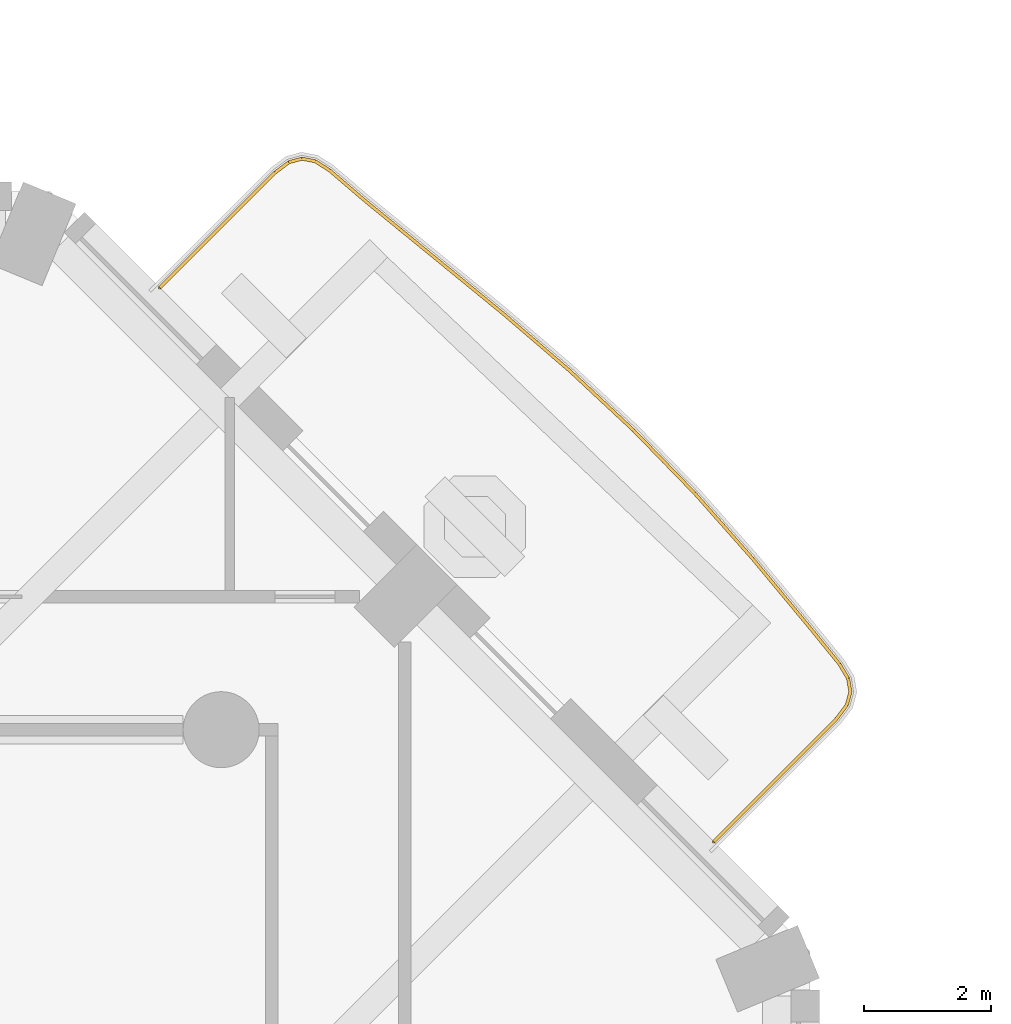
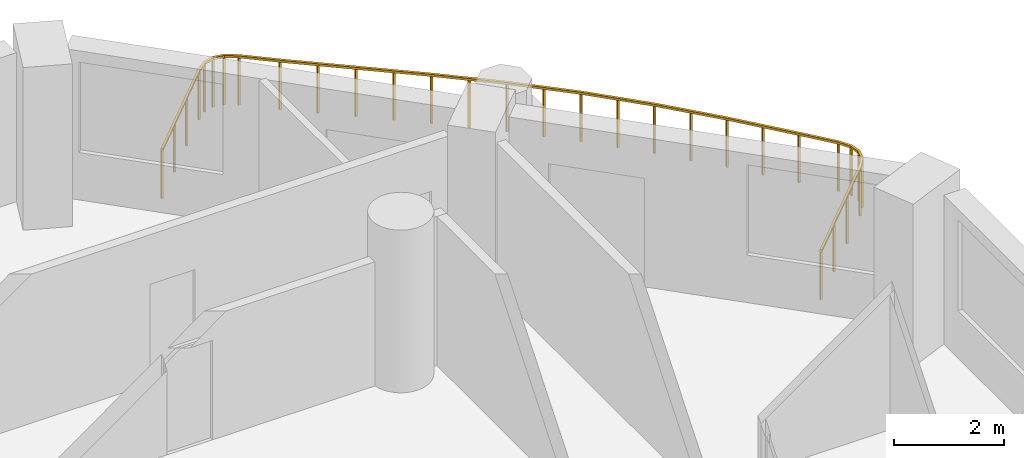
# One storey, part 18 of 19: 1 railing.
"""IFC4 building model written with IfcOpenShell, lengths in metres."""

from ifc_helpers import new_model, si_unit, direction, frame, origin, origin_2d, place, context, subcontext, project, spatial, rectangle, extrude, material, type_object, element, save


model = new_model("IFC4")

# Units and contexts
model_context = context("Model", 3, precision=1e-05, world=origin(), true_north=direction((0.0, 1.0)))
body_context = subcontext(model_context, "Body", "Model", "MODEL_VIEW")
ifc_project = project(units=[si_unit("LENGTHUNIT", "METRE"), si_unit("AREAUNIT", "SQUARE_METRE"), si_unit("VOLUMEUNIT", "CUBIC_METRE"), si_unit("PLANEANGLEUNIT", "RADIAN"), si_unit("MASSUNIT", "GRAM", prefix="KILO")], contexts=[model_context])

# Site, building, storey
site_placement = place(None, origin())
site = spatial("IfcSite", under=ifc_project, at=site_placement, CompositionType="ELEMENT")
building_placement = place(site_placement, origin())
building = spatial("IfcBuilding", under=site, at=building_placement, Name="Cypress Arch Tower", CompositionType="ELEMENT")
storey_placement = place(building_placement, frame((0.0, 0.0, 69.89990234375)))
storey = spatial("IfcBuildingStorey", under=building, at=storey_placement, Name="L11", CompositionType="ELEMENT", Elevation=69.89990234375)

# Railing
ifc_material = material(Name="Powder-coated steel posts and rods, 100 mm clear between rods", Category="steel")
railing_type = type_object("IfcRailingType", Name="Balcony guard GR1100", PredefinedType="GUARDRAIL", material=ifc_material)
railing_placement = place(storey_placement, frame((14.33251953125, 24.479736328125, 0.0)))
element("IfcRailing", 1, at=railing_placement, inside=storey, type_object=railing_type, Name="Balcony guard L11-A07", PredefinedType="GUARDRAIL", context=body_context, shape_type="SweptSolid", body=[
    extrude(rectangle(XDim=0.050048828125, YDim=0.050048828125, at=origin_2d()), frame((0.0, 0.0, 1.0751953125), z_axis=(0.707106781187, 0.707106781187, 0.0), x_axis=(-0.707106781187, 0.707106781187, 0.0)), (0.0, 0.0, 1.0), 2.5771484375),
    extrude(rectangle(XDim=0.050048828125, YDim=0.050048828125, at=origin_2d()), frame((1.822265625, 1.822265625, 1.0751953125), z_axis=(0.798787809241, 0.601612862069, 0.0), x_axis=(-0.601612862069, 0.798787809241, 0.0)), (0.0, 0.0, 1.0), 0.26611328125),
    extrude(rectangle(XDim=0.050048828125, YDim=0.050048828125, at=origin_2d()), frame((2.034912109375, 1.982421875, 1.0751953125), z_axis=(0.964553524108, 0.263887284898, 0.0), x_axis=(-0.263887284898, 0.964553524108, 0.0)), (0.0, 0.0, 1.0), 0.214599609375),
    extrude(rectangle(XDim=0.050048828125, YDim=0.050048828125, at=origin_2d()), frame((2.241943359375, 2.0390625, 1.0751953125), z_axis=(0.982418188489, -0.186693607083, 0.0), x_axis=(0.186693607083, 0.982418188489, 0.0)), (0.0, 0.0, 1.0), 0.21435546875),
    extrude(rectangle(XDim=0.050048828125, YDim=0.050048828125, at=origin_2d()), frame((2.45263671875, 1.9990234375, 1.0751953125), z_axis=(0.843699206123, -0.536816215839, 0.0), x_axis=(0.536816215839, 0.843699206123, 0.0)), (0.0, 0.0, 1.0), 0.2666015625),
    extrude(rectangle(XDim=0.050048828125, YDim=0.050048828125, at=origin_2d()), frame((2.677490234375, 1.85595703125, 1.0751953125), z_axis=(0.76038687079, -0.649470404815, 0.0), x_axis=(0.649470404815, 0.76038687079, 0.0)), (0.0, 0.0, 1.0), 0.761474609375),
    extrude(rectangle(XDim=0.050048828125, YDim=0.050048828125, at=origin_2d()), frame((3.256591796875, 1.361328125, 1.0751953125), z_axis=(0.774589362054, -0.632464481369, 0.0), x_axis=(0.632464481369, 0.774589362054, 0.0)), (0.0, 0.0, 1.0), 1.39306640625),
    extrude(rectangle(XDim=0.050048828125, YDim=0.050048828125, at=origin_2d()), frame((4.335693359375, 0.480224609375, 1.0751953125), z_axis=(0.774168244327, -0.632979880783, 0.0), x_axis=(0.632979880783, 0.774168244327, 0.0)), (0.0, 0.0, 1.0), 1.39208984375),
    extrude(rectangle(XDim=0.050048828125, YDim=0.050048828125, at=origin_2d()), frame((5.413330078125, -0.40087890625, 1.0751953125), z_axis=(0.75888395865, -0.651225872722, 0.0), x_axis=(0.651225872722, 0.75888395865, 0.0)), (0.0, 0.0, 1.0), 1.387939453125),
    extrude(rectangle(XDim=0.050048828125, YDim=0.050048828125, at=origin_2d()), frame((6.466552734375, -1.3046875, 1.0751953125), z_axis=(0.731366022119, -0.681985147705, 0.0), x_axis=(0.681985147705, 0.731366022119, 0.0)), (0.0, 0.0, 1.0), 1.38427734375),
    extrude(rectangle(XDim=0.050048828125, YDim=0.050048828125, at=origin_2d()), frame((7.47900390625, -2.248779296875, 1.0751953125), z_axis=(0.696796061796, -0.717269299681, 0.0), x_axis=(0.717269299681, 0.696796061796, 0.0)), (0.0, 0.0, 1.0), 1.38330078125),
    extrude(rectangle(XDim=0.050048828125, YDim=0.050048828125, at=origin_2d()), frame((8.44287109375, -3.240966796875, 1.0751953125), z_axis=(0.663105740178, -0.748525735925, 0.0), x_axis=(0.748525735925, 0.663105740178, 0.0)), (0.0, 0.0, 1.0), 1.38623046875),
    extrude(rectangle(XDim=0.050048828125, YDim=0.050048828125, at=origin_2d()), frame((9.362060546875, -4.278564453125, 1.0751953125), z_axis=(0.638767142715, -0.769400115277, 0.0), x_axis=(0.769400115277, 0.638767142715, 0.0)), (0.0, 0.0, 1.0), 1.390380859375),
    extrude(rectangle(XDim=0.050048828125, YDim=0.050048828125, at=origin_2d()), frame((10.250244140625, -5.348388671875, 1.0751953125), z_axis=(0.630496180097, -0.776192351729, 0.0), x_axis=(0.776192351729, 0.630496180097, 0.0)), (0.0, 0.0, 1.0), 0.762451171875),
    extrude(rectangle(XDim=0.050048828125, YDim=0.050048828125, at=origin_2d()), frame((10.73095703125, -5.940185546875, 1.0751953125), z_axis=(0.516101143254, -0.856527646916, 0.0), x_axis=(0.856527646916, 0.516101143254, 0.0)), (0.0, 0.0, 1.0), 0.268310546875),
    extrude(rectangle(XDim=0.050048828125, YDim=0.050048828125, at=origin_2d()), frame((10.869384765625, -6.169921875, 1.0751953125), z_axis=(0.170394914413, -0.985375853744, 0.0), x_axis=(0.985375853744, 0.170394914413, 0.0)), (0.0, 0.0, 1.0), 0.2177734375),
    extrude(rectangle(XDim=0.050048828125, YDim=0.050048828125, at=origin_2d()), frame((10.906494140625, -6.384521484375, 1.0751953125), z_axis=(-0.269837570952, -0.962905854849, 0.0), x_axis=(0.962905854849, -0.269837570952, 0.0)), (0.0, 0.0, 1.0), 0.218017578125),
    extrude(rectangle(XDim=0.050048828125, YDim=0.050048828125, at=origin_2d()), frame((10.84765625, -6.594482421875, 1.0751953125), z_axis=(-0.602910389094, -0.797808913665, 0.0), x_axis=(0.797808913665, -0.602910389094, 0.0)), (0.0, 0.0, 1.0), 0.26806640625),
    extrude(rectangle(XDim=0.050048828125, YDim=0.050048828125, at=origin_2d()), frame((10.68603515625, -6.808349609375, 1.0751953125), z_axis=(-0.707062260061, -0.707151299509, 0.0), x_axis=(0.707151299509, -0.707062260061, 0.0)), (0.0, 0.0, 1.0), 2.741943359375),
    extrude(rectangle(XDim=0.0400390625, YDim=0.0400390625, at=origin_2d()), origin(), (0.0, 0.0, 1.0), 1.050048828125),
    extrude(rectangle(XDim=0.0400390625, YDim=0.0400390625, at=origin_2d()), frame((0.607421875, 0.607421875, 0.0)), (0.0, 0.0, 1.0), 1.050048828125),
    extrude(rectangle(XDim=0.0400390625, YDim=0.0400390625, at=origin_2d()), frame((1.21484375, 1.21484375, 0.0)), (0.0, 0.0, 1.0), 1.050048828125),
    extrude(rectangle(XDim=0.0400390625, YDim=0.0400390625, at=origin_2d()), frame((1.822265625, 1.822265625, 0.0)), (0.0, 0.0, 1.0), 1.050048828125),
    extrude(rectangle(XDim=0.0400390625, YDim=0.0400390625, at=origin_2d()), frame((2.034912109375, 1.982421875, 0.0)), (0.0, 0.0, 1.0), 1.050048828125),
    extrude(rectangle(XDim=0.0400390625, YDim=0.0400390625, at=origin_2d()), frame((2.241943359375, 2.0390625, 0.0)), (0.0, 0.0, 1.0), 1.050048828125),
    extrude(rectangle(XDim=0.0400390625, YDim=0.0400390625, at=origin_2d()), frame((2.45263671875, 1.9990234375, 0.0)), (0.0, 0.0, 1.0), 1.050048828125),
    extrude(rectangle(XDim=0.0400390625, YDim=0.0400390625, at=origin_2d()), frame((2.677490234375, 1.85595703125, 0.0)), (0.0, 0.0, 1.0), 1.050048828125),
    extrude(rectangle(XDim=0.0400390625, YDim=0.0400390625, at=origin_2d()), frame((3.256591796875, 1.361328125, 0.0)), (0.0, 0.0, 1.0), 1.050048828125),
    extrude(rectangle(XDim=0.0400390625, YDim=0.0400390625, at=origin_2d()), frame((3.796142578125, 0.9208984375, 0.0)), (0.0, 0.0, 1.0), 1.050048828125),
    extrude(rectangle(XDim=0.0400390625, YDim=0.0400390625, at=origin_2d()), frame((4.335693359375, 0.480224609375, 0.0)), (0.0, 0.0, 1.0), 1.050048828125),
    extrude(rectangle(XDim=0.0400390625, YDim=0.0400390625, at=origin_2d()), frame((4.87451171875, 0.03955078125, 0.0)), (0.0, 0.0, 1.0), 1.050048828125),
    extrude(rectangle(XDim=0.0400390625, YDim=0.0400390625, at=origin_2d()), frame((5.413330078125, -0.40087890625, 0.0)), (0.0, 0.0, 1.0), 1.050048828125),
    extrude(rectangle(XDim=0.0400390625, YDim=0.0400390625, at=origin_2d()), frame((5.93994140625, -0.852783203125, 0.0)), (0.0, 0.0, 1.0), 1.050048828125),
    extrude(rectangle(XDim=0.0400390625, YDim=0.0400390625, at=origin_2d()), frame((6.466552734375, -1.3046875, 0.0)), (0.0, 0.0, 1.0), 1.050048828125),
    extrude(rectangle(XDim=0.0400390625, YDim=0.0400390625, at=origin_2d()), frame((6.97265625, -1.77685546875, 0.0)), (0.0, 0.0, 1.0), 1.050048828125),
    extrude(rectangle(XDim=0.0400390625, YDim=0.0400390625, at=origin_2d()), frame((7.47900390625, -2.248779296875, 0.0)), (0.0, 0.0, 1.0), 1.050048828125),
    extrude(rectangle(XDim=0.0400390625, YDim=0.0400390625, at=origin_2d()), frame((7.9609375, -2.744873046875, 0.0)), (0.0, 0.0, 1.0), 1.050048828125),
    extrude(rectangle(XDim=0.0400390625, YDim=0.0400390625, at=origin_2d()), frame((8.44287109375, -3.240966796875, 0.0)), (0.0, 0.0, 1.0), 1.050048828125),
    extrude(rectangle(XDim=0.0400390625, YDim=0.0400390625, at=origin_2d()), frame((8.90234375, -3.759765625, 0.0)), (0.0, 0.0, 1.0), 1.050048828125),
    extrude(rectangle(XDim=0.0400390625, YDim=0.0400390625, at=origin_2d()), frame((9.362060546875, -4.278564453125, 0.0)), (0.0, 0.0, 1.0), 1.050048828125),
    extrude(rectangle(XDim=0.0400390625, YDim=0.0400390625, at=origin_2d()), frame((9.80615234375, -4.8134765625, 0.0)), (0.0, 0.0, 1.0), 1.050048828125),
    extrude(rectangle(XDim=0.0400390625, YDim=0.0400390625, at=origin_2d()), frame((10.250244140625, -5.348388671875, 0.0)), (0.0, 0.0, 1.0), 1.050048828125),
    extrude(rectangle(XDim=0.0400390625, YDim=0.0400390625, at=origin_2d()), frame((10.73095703125, -5.940185546875, 0.0)), (0.0, 0.0, 1.0), 1.050048828125),
    extrude(rectangle(XDim=0.0400390625, YDim=0.0400390625, at=origin_2d()), frame((10.869384765625, -6.169921875, 0.0)), (0.0, 0.0, 1.0), 1.050048828125),
    extrude(rectangle(XDim=0.0400390625, YDim=0.0400390625, at=origin_2d()), frame((10.906494140625, -6.384521484375, 0.0)), (0.0, 0.0, 1.0), 1.050048828125),
    extrude(rectangle(XDim=0.0400390625, YDim=0.0400390625, at=origin_2d()), frame((10.84765625, -6.594482421875, 0.0)), (0.0, 0.0, 1.0), 1.050048828125),
    extrude(rectangle(XDim=0.0400390625, YDim=0.0400390625, at=origin_2d()), frame((10.68603515625, -6.808349609375, 0.0)), (0.0, 0.0, 1.0), 1.050048828125),
    extrude(rectangle(XDim=0.0400390625, YDim=0.0400390625, at=origin_2d()), frame((10.039794921875, -7.45458984375, 0.0)), (0.0, 0.0, 1.0), 1.050048828125),
    extrude(rectangle(XDim=0.0400390625, YDim=0.0400390625, at=origin_2d()), frame((9.3935546875, -8.10107421875, 0.0)), (0.0, 0.0, 1.0), 1.050048828125),
    extrude(rectangle(XDim=0.0400390625, YDim=0.0400390625, at=origin_2d()), frame((8.747314453125, -8.747314453125, 0.0)), (0.0, 0.0, 1.0), 1.050048828125),
])

save(model, "model.ifc")
